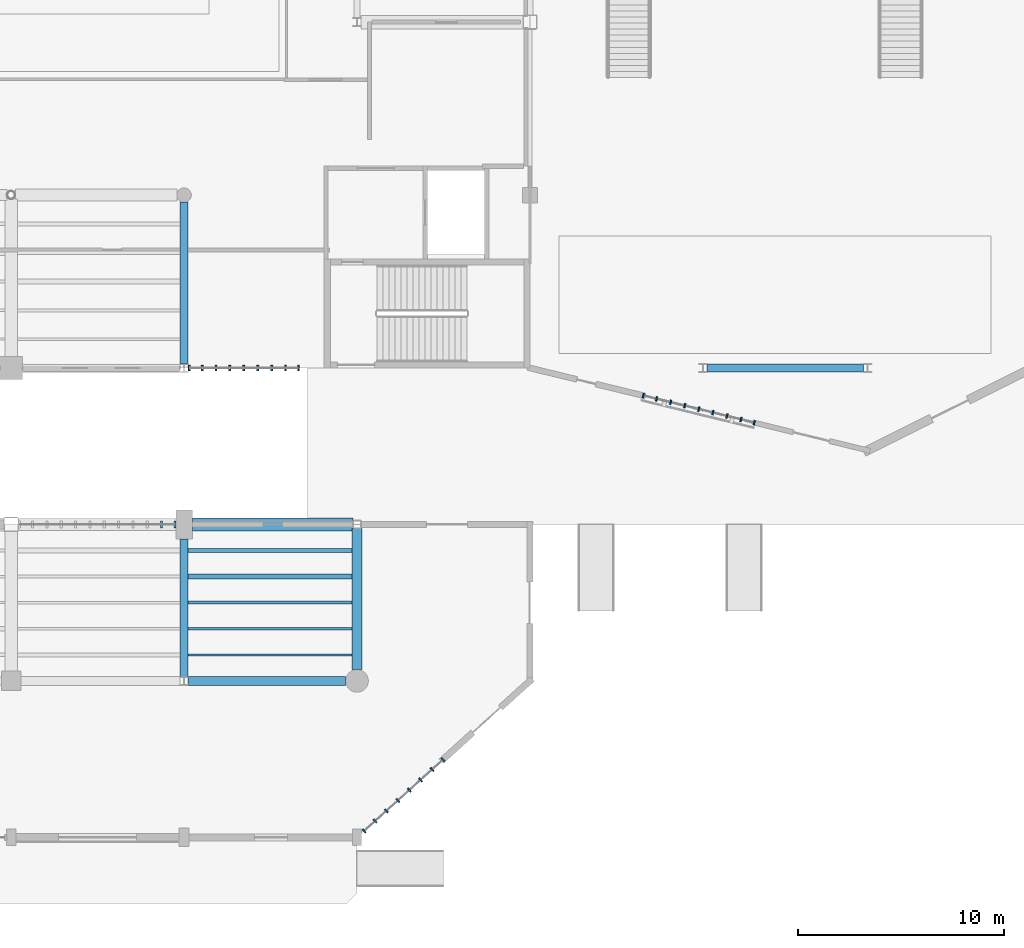
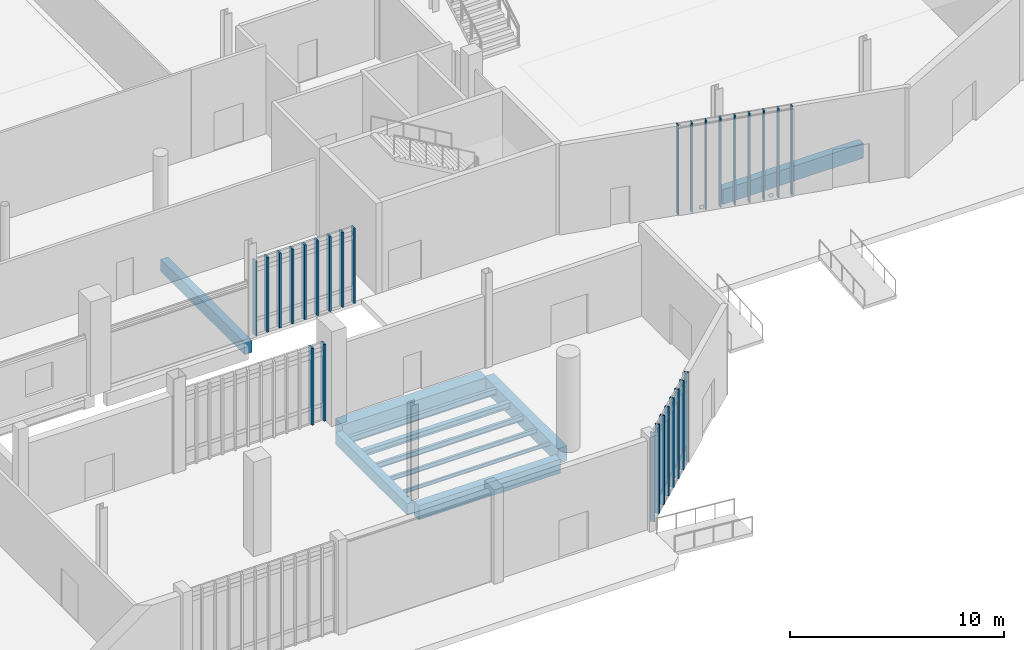
# One storey, part 18 of 111: 28 members, 11 beams, 4 elements without a shape of their own.
"""IFC4 building model written with IfcOpenShell, lengths in metres."""

from ifc_helpers import new_model, si_unit, direction, frame, origin, origin_2d, place, context, subcontext, project, spatial, rectangle, i_section, extrude, material, material_profile, profile_set, type_object, element, aggregate, save


model = new_model("IFC4")

# Units and contexts
model_context = context("Model", 3, precision=1e-05, world=origin(), true_north=direction((0.0, 1.0)))
body_context = subcontext(model_context, "Body", "Model", "MODEL_VIEW")
ifc_project = project(units=[si_unit("LENGTHUNIT", "METRE"), si_unit("AREAUNIT", "SQUARE_METRE"), si_unit("VOLUMEUNIT", "CUBIC_METRE"), si_unit("PLANEANGLEUNIT", "RADIAN"), si_unit("MASSUNIT", "GRAM", prefix="KILO")], contexts=[model_context])

# Site, building, storey
site_placement = place(None, origin())
site = spatial("IfcSite", under=ifc_project, at=site_placement, CompositionType="ELEMENT")
building_placement = place(site_placement, origin())
building = spatial("IfcBuilding", under=site, at=building_placement, Name="Larkvane Passage Sports Hall", CompositionType="ELEMENT")
storey_placement = place(building_placement, origin())
storey = spatial("IfcBuildingStorey", under=building, at=storey_placement, Name="L00", CompositionType="ELEMENT", Elevation=0.0)

# Beams
ifc_material_1 = material(Name="Concrete C40/50", Category="concrete")
ifc_material_profile_1 = material_profile(ifc_material_1, rectangle(XDim=0.39990234375, YDim=0.64990234375, at=origin_2d()), Name="RC-BM-400x650")
ifc_profile_set_1 = profile_set([ifc_material_profile_1], Name="Concrete C40/50")
beam_type_1 = type_object("IfcBeamType", Name="BM-RC-400x650", PredefinedType="BEAM", material=ifc_profile_set_1)
beam_1_placement = place(storey_placement, frame((76.800048828125, 7.800048828125, -0.7451171875), z_axis=(0.0, 1.0, 0.0), x_axis=(-1.0, 0.0, 0.0)))
element("IfcBeam", 1, at=beam_1_placement, inside=storey, type_object=beam_type_1, Name="Girder BM5-Y-L00-11-0107", PredefinedType="BEAM", context=body_context, shape_type="SweptSolid", body=[
    extrude(rectangle(XDim=0.39990234375, YDim=0.64990234375, at=origin_2d()), origin(), (0.0, 0.0, 1.0), 6.699951171875),
])
ifc_material_profile_2 = material_profile(ifc_material_1, rectangle(XDim=0.39990234375, YDim=0.699951171875, at=origin_2d()), Name="RC-BM-400x700")
ifc_profile_set_2 = profile_set([ifc_material_profile_2], Name="Concrete C40/50")
beam_type_2 = type_object("IfcBeamType", Name="BM-RC-400x700", PredefinedType="BEAM", material=ifc_profile_set_2)
beam_2_placement = place(storey_placement, frame((76.800048828125, 23.007080078125, -0.77001953125), z_axis=(0.0, 1.0, 0.0), x_axis=(-1.0, 0.0, 0.0)))
element("IfcBeam", 2, at=beam_2_placement, inside=storey, type_object=beam_type_2, Name="Girder BM5-Y-L00-11-0108", PredefinedType="BEAM", context=body_context, shape_type="SweptSolid", body=[
    extrude(rectangle(XDim=0.39990234375, YDim=0.699951171875, at=origin_2d()), origin(), (0.0, 0.0, 1.0), 7.843017578125),
])
ifc_material_profile_3 = material_profile(ifc_material_1, rectangle(XDim=0.449951171875, YDim=0.800048828125, at=origin_2d()), Name="RC-BM-450x800")
ifc_profile_set_3 = profile_set([ifc_material_profile_3], Name="Concrete C40/50")
beam_type_3 = type_object("IfcBeamType", Name="BM-RC-450x800", PredefinedType="BEAM", material=ifc_profile_set_3)
beam_3_placement = place(storey_placement, frame((77.0, 7.60009765625, -0.820068359375), z_axis=(1.0, 0.0, 0.0), x_axis=(0.0, 1.0, 0.0)))
element("IfcBeam", 3, at=beam_3_placement, inside=storey, type_object=beam_type_3, Name="Girder BM5-X-L00-B-0006", PredefinedType="BEAM", context=body_context, shape_type="SweptSolid", body=[
    extrude(rectangle(XDim=0.449951171875, YDim=0.800048828125, at=origin_2d()), origin(), (0.0, 0.0, 1.0), 7.64990234375),
])
ifc_material_profile_4 = material_profile(ifc_material_1, rectangle(XDim=0.5, YDim=0.85009765625, at=origin_2d()), Name="RC-BM-500x850")
ifc_profile_set_4 = profile_set([ifc_material_profile_4], Name="Concrete C40/50")
beam_type_4 = type_object("IfcBeamType", Name="BM-RC-500x850", PredefinedType="BEAM", material=ifc_profile_set_4)
beam_4_placement = place(storey_placement, frame((85.199951171875, 8.14990234375, -0.844970703125), z_axis=(0.0, 1.0, 0.0), x_axis=(-1.0, 0.0, 0.0)))
element("IfcBeam", 4, at=beam_4_placement, inside=storey, type_object=beam_type_4, Name="Girder BM5-Y-L00-12-0111", PredefinedType="BEAM", context=body_context, shape_type="SweptSolid", body=[
    extrude(rectangle(XDim=0.5, YDim=0.85009765625, at=origin_2d()), origin(), (0.0, 0.0, 1.0), 6.85009765625),
])
ifc_material_2 = material(Name="Concrete C50/60", Category="concrete")
ifc_material_profile_5 = material_profile(ifc_material_2, rectangle(XDim=0.64990234375, YDim=1.14990234375, at=origin_2d()), Name="RC-BM-650x1150")
ifc_profile_set_5 = profile_set([ifc_material_profile_5], Name="Concrete C50/60")
beam_type_5 = type_object("IfcBeamType", Name="BM-RC-650x1150", PredefinedType="BEAM", material=ifc_profile_set_5)
beam_5_placement = place(storey_placement, frame((77.199951171875, 15.199951171875, -0.9951171875), z_axis=(1.0, 0.0, 0.0), x_axis=(0.0, 1.0, 0.0)))
element("IfcBeam", 5, at=beam_5_placement, inside=storey, type_object=beam_type_5, Name="Girder BM5-X-L00-C-0012", PredefinedType="BEAM", context=body_context, shape_type="SweptSolid", body=[
    extrude(rectangle(XDim=0.64990234375, YDim=1.14990234375, at=origin_2d()), origin(), (0.0, 0.0, 1.0), 7.800048828125),
])

# Curtain wall, members
ifc_material_3 = material(Name="Thermally broken aluminium and low-E glazing", Category="aluminium")
curtain_wall_type_1 = type_object("IfcCurtainWallType", Name="CW-CLINIC", PredefinedType="USERDEFINED", material=ifc_material_3)
curtain_wall_1_placement = place(storey_placement, origin())
curtain_wall_1 = element("IfcCurtainWall", 6, at=curtain_wall_1_placement, inside=storey, type_object=curtain_wall_type_1, Name="Curtain wall CW5-L00-027", ObjectType="UNITISED CURTAIN WALL", PredefinedType="USERDEFINED")
ifc_material_4 = material(Name="Anodised aluminium 6063-T6", Category="aluminium")
ifc_material_profile_6 = material_profile(ifc_material_4, rectangle(XDim=0.10009765625, YDim=0.320068359375, at=origin_2d()), Name="ALU-MUL-100x320")
ifc_profile_set_6 = profile_set([ifc_material_profile_6], Name="Anodised aluminium 6063-T6")
member_type_1 = type_object("IfcMemberType", Name="CW-MUL-100x320", PredefinedType="MULLION", material=ifc_profile_set_6)
member_1_placement = place(storey_placement, frame((75.707763671875, 15.199951171875, 0.0), z_axis=(0.0, 0.0, 1.0), x_axis=(1.0, 0.0, 0.0)))
member_1 = element("IfcMember", 7, at=member_1_placement, type_object=member_type_1, Name="CW-05 mullion 11", PredefinedType="MULLION", context=body_context, shape_type="SweptSolid", body=[
    extrude(rectangle(XDim=0.10009765625, YDim=0.320068359375, at=origin_2d()), origin(), (0.0, 0.0, 1.0), 4.385986328125),
])
member_2_placement = place(storey_placement, frame((76.35400390625, 15.199951171875, 0.0), z_axis=(0.0, 0.0, 1.0), x_axis=(1.0, 0.0, 0.0)))
member_2 = element("IfcMember", 8, at=member_2_placement, type_object=member_type_1, Name="CW-05 mullion 12", PredefinedType="MULLION", context=body_context, shape_type="SweptSolid", body=[
    extrude(rectangle(XDim=0.10009765625, YDim=0.320068359375, at=origin_2d()), origin(), (0.0, 0.0, 1.0), 4.385986328125),
])
aggregate(curtain_wall_1, [member_1, member_2])

curtain_wall_type_2 = type_object("IfcCurtainWallType", Name="CW-UNIT-VEIL", PredefinedType="USERDEFINED", material=ifc_material_3)
curtain_wall_2_placement = place(storey_placement, origin())
curtain_wall_2 = element("IfcCurtainWall", 9, at=curtain_wall_2_placement, inside=storey, type_object=curtain_wall_type_2, Name="Curtain wall CW5-L00-001", ObjectType="UNITISED CURTAIN WALL", PredefinedType="USERDEFINED")
ifc_material_profile_7 = material_profile(ifc_material_4, rectangle(XDim=0.074951171875, YDim=0.22509765625, at=origin_2d()), Name="ALU-MUL-75x225")
ifc_profile_set_7 = profile_set([ifc_material_profile_7], Name="Anodised aluminium 6063-T6")
member_type_2 = type_object("IfcMemberType", Name="CW-MUL-75x225", PredefinedType="MULLION", material=ifc_profile_set_7)
member_3_placement = place(storey_placement, frame((89.372314453125, 3.77490234375, 0.0), z_axis=(0.0, 0.0, 1.0), x_axis=(-0.741531704398, -0.670917827586, 0.0)))
member_3 = element("IfcMember", 10, at=member_3_placement, type_object=member_type_2, Name="CW-02 mullion 1", PredefinedType="MULLION", context=body_context, shape_type="SweptSolid", body=[
    extrude(rectangle(XDim=0.074951171875, YDim=0.22509765625, at=origin_2d()), origin(), (0.0, 0.0, 1.0), 5.10009765625),
])
member_4_placement = place(storey_placement, frame((88.845703125, 3.298583984375, 0.0), z_axis=(0.0, 0.0, 1.0), x_axis=(-0.741531704398, -0.670917827586, 0.0)))
member_4 = element("IfcMember", 11, at=member_4_placement, type_object=member_type_2, Name="CW-02 mullion 2", PredefinedType="MULLION", context=body_context, shape_type="SweptSolid", body=[
    extrude(rectangle(XDim=0.074951171875, YDim=0.22509765625, at=origin_2d()), origin(), (0.0, 0.0, 1.0), 5.10009765625),
])
member_5_placement = place(storey_placement, frame((88.291259765625, 2.796875, 0.0), z_axis=(0.0, 0.0, 1.0), x_axis=(-0.741531704398, -0.670917827586, 0.0)))
member_5 = element("IfcMember", 12, at=member_5_placement, type_object=member_type_2, Name="CW-02 mullion 3", PredefinedType="MULLION", context=body_context, shape_type="SweptSolid", body=[
    extrude(rectangle(XDim=0.074951171875, YDim=0.22509765625, at=origin_2d()), origin(), (0.0, 0.0, 1.0), 5.10009765625),
])
member_6_placement = place(storey_placement, frame((87.737060546875, 2.29541015625, 0.0), z_axis=(0.0, 0.0, 1.0), x_axis=(-0.741531704398, -0.670917827586, 0.0)))
member_6 = element("IfcMember", 13, at=member_6_placement, type_object=member_type_2, Name="CW-02 mullion 4", PredefinedType="MULLION", context=body_context, shape_type="SweptSolid", body=[
    extrude(rectangle(XDim=0.074951171875, YDim=0.22509765625, at=origin_2d()), origin(), (0.0, 0.0, 1.0), 5.10009765625),
])
member_7_placement = place(storey_placement, frame((87.182861328125, 1.7939453125, 0.0), z_axis=(0.0, 0.0, 1.0), x_axis=(-0.741531704398, -0.670917827586, 0.0)))
member_7 = element("IfcMember", 14, at=member_7_placement, type_object=member_type_2, Name="CW-02 mullion 5", PredefinedType="MULLION", context=body_context, shape_type="SweptSolid", body=[
    extrude(rectangle(XDim=0.074951171875, YDim=0.22509765625, at=origin_2d()), origin(), (0.0, 0.0, 1.0), 5.10009765625),
])
member_8_placement = place(storey_placement, frame((86.62841796875, 1.292236328125, 0.0), z_axis=(0.0, 0.0, 1.0), x_axis=(-0.741531704398, -0.670917827586, 0.0)))
member_8 = element("IfcMember", 15, at=member_8_placement, type_object=member_type_2, Name="CW-02 mullion 6", PredefinedType="MULLION", context=body_context, shape_type="SweptSolid", body=[
    extrude(rectangle(XDim=0.074951171875, YDim=0.22509765625, at=origin_2d()), origin(), (0.0, 0.0, 1.0), 5.10009765625),
])
member_9_placement = place(storey_placement, frame((86.07421875, 0.790771484375, 0.0), z_axis=(0.0, 0.0, 1.0), x_axis=(-0.741531704398, -0.670917827586, 0.0)))
member_9 = element("IfcMember", 16, at=member_9_placement, type_object=member_type_2, Name="CW-02 mullion 7", PredefinedType="MULLION", context=body_context, shape_type="SweptSolid", body=[
    extrude(rectangle(XDim=0.074951171875, YDim=0.22509765625, at=origin_2d()), origin(), (0.0, 0.0, 1.0), 5.10009765625),
])
member_10_placement = place(storey_placement, frame((85.547607421875, 0.314453125, 0.0), z_axis=(0.0, 0.0, 1.0), x_axis=(-0.741531704398, -0.670917827586, 0.0)))
member_10 = element("IfcMember", 17, at=member_10_placement, type_object=member_type_2, Name="CW-02 mullion 8", PredefinedType="MULLION", context=body_context, shape_type="SweptSolid", body=[
    extrude(rectangle(XDim=0.074951171875, YDim=0.22509765625, at=origin_2d()), origin(), (0.0, 0.0, 1.0), 5.10009765625),
])
aggregate(curtain_wall_2, [member_3, member_4, member_5, member_6, member_7, member_8, member_9, member_10])

curtain_wall_3_placement = place(storey_placement, origin())
curtain_wall_3 = element("IfcCurtainWall", 18, at=curtain_wall_3_placement, inside=storey, type_object=curtain_wall_type_2, Name="Curtain wall CW5-L00-025", ObjectType="UNITISED CURTAIN WALL", PredefinedType="USERDEFINED")
member_11_placement = place(storey_placement, frame((104.496826171875, 20.14208984375, 0.0), z_axis=(0.0, 0.0, 1.0), x_axis=(-0.971516945962, 0.236970090326, 0.0)))
member_11 = element("IfcMember", 19, at=member_11_placement, type_object=member_type_2, Name="CW-02 mullion 1", PredefinedType="MULLION", context=body_context, shape_type="SweptSolid", body=[
    extrude(rectangle(XDim=0.074951171875, YDim=0.22509765625, at=origin_2d()), origin(), (0.0, 0.0, 1.0), 5.10009765625),
])
member_12_placement = place(storey_placement, frame((103.849853515625, 20.300048828125, 0.0), z_axis=(0.0, 0.0, 1.0), x_axis=(-0.971516945962, 0.236970090326, 0.0)))
member_12 = element("IfcMember", 20, at=member_12_placement, type_object=member_type_2, Name="CW-02 mullion 2", PredefinedType="MULLION", context=body_context, shape_type="SweptSolid", body=[
    extrude(rectangle(XDim=0.074951171875, YDim=0.22509765625, at=origin_2d()), origin(), (0.0, 0.0, 1.0), 5.10009765625),
])
member_13_placement = place(storey_placement, frame((103.166748046875, 20.466552734375, 0.0), z_axis=(0.0, 0.0, 1.0), x_axis=(-0.971516945962, 0.236970090326, 0.0)))
member_13 = element("IfcMember", 21, at=member_13_placement, type_object=member_type_2, Name="CW-02 mullion 3", PredefinedType="MULLION", context=body_context, shape_type="SweptSolid", body=[
    extrude(rectangle(XDim=0.074951171875, YDim=0.22509765625, at=origin_2d()), origin(), (0.0, 0.0, 1.0), 5.10009765625),
])
member_14_placement = place(storey_placement, frame((102.4833984375, 20.63330078125, 0.0), z_axis=(0.0, 0.0, 1.0), x_axis=(-0.971516945962, 0.236970090326, 0.0)))
member_14 = element("IfcMember", 22, at=member_14_placement, type_object=member_type_2, Name="CW-02 mullion 4", PredefinedType="MULLION", context=body_context, shape_type="SweptSolid", body=[
    extrude(rectangle(XDim=0.074951171875, YDim=0.22509765625, at=origin_2d()), origin(), (0.0, 0.0, 1.0), 5.10009765625),
])
member_15_placement = place(storey_placement, frame((101.800048828125, 20.800048828125, 0.0), z_axis=(0.0, 0.0, 1.0), x_axis=(-0.971516945962, 0.236970090326, 0.0)))
member_15 = element("IfcMember", 23, at=member_15_placement, type_object=member_type_2, Name="CW-02 mullion 5", PredefinedType="MULLION", context=body_context, shape_type="SweptSolid", body=[
    extrude(rectangle(XDim=0.074951171875, YDim=0.22509765625, at=origin_2d()), origin(), (0.0, 0.0, 1.0), 5.10009765625),
])
member_16_placement = place(storey_placement, frame((101.11669921875, 20.966796875, 0.0), z_axis=(0.0, 0.0, 1.0), x_axis=(-0.971516945962, 0.236970090326, 0.0)))
member_16 = element("IfcMember", 24, at=member_16_placement, type_object=member_type_2, Name="CW-02 mullion 6", PredefinedType="MULLION", context=body_context, shape_type="SweptSolid", body=[
    extrude(rectangle(XDim=0.074951171875, YDim=0.22509765625, at=origin_2d()), origin(), (0.0, 0.0, 1.0), 5.10009765625),
])
member_17_placement = place(storey_placement, frame((100.433349609375, 21.13330078125, 0.0), z_axis=(0.0, 0.0, 1.0), x_axis=(-0.971516945962, 0.236970090326, 0.0)))
member_17 = element("IfcMember", 25, at=member_17_placement, type_object=member_type_2, Name="CW-02 mullion 7", PredefinedType="MULLION", context=body_context, shape_type="SweptSolid", body=[
    extrude(rectangle(XDim=0.074951171875, YDim=0.22509765625, at=origin_2d()), origin(), (0.0, 0.0, 1.0), 5.10009765625),
])
member_18_placement = place(storey_placement, frame((99.75, 21.300048828125, 0.0), z_axis=(0.0, 0.0, 1.0), x_axis=(-0.971516945962, 0.236970090326, 0.0)))
member_18 = element("IfcMember", 26, at=member_18_placement, type_object=member_type_2, Name="CW-02 mullion 8", PredefinedType="MULLION", context=body_context, shape_type="SweptSolid", body=[
    extrude(rectangle(XDim=0.074951171875, YDim=0.22509765625, at=origin_2d()), origin(), (0.0, 0.0, 1.0), 5.10009765625),
])
member_19_placement = place(storey_placement, frame((99.10302734375, 21.457763671875, 0.0), z_axis=(0.0, 0.0, 1.0), x_axis=(-0.971516945962, 0.236970090326, 0.0)))
member_19 = element("IfcMember", 27, at=member_19_placement, type_object=member_type_2, Name="CW-02 mullion 9", PredefinedType="MULLION", context=body_context, shape_type="SweptSolid", body=[
    extrude(rectangle(XDim=0.074951171875, YDim=0.22509765625, at=origin_2d()), origin(), (0.0, 0.0, 1.0), 5.10009765625),
])
aggregate(curtain_wall_3, [member_11, member_12, member_13, member_14, member_15, member_16, member_17, member_18, member_19])

curtain_wall_type_3 = type_object("IfcCurtainWallType", Name="CW-STICK-FOYER", PredefinedType="USERDEFINED", material=ifc_material_3)
curtain_wall_4_placement = place(storey_placement, origin())
curtain_wall_4 = element("IfcCurtainWall", 28, at=curtain_wall_4_placement, inside=storey, type_object=curtain_wall_type_3, Name="Curtain wall CW5-L00-026", ObjectType="STICK CURTAIN WALL", PredefinedType="USERDEFINED")
ifc_material_profile_8 = material_profile(ifc_material_4, rectangle(XDim=0.090087890625, YDim=0.280029296875, at=origin_2d()), Name="ALU-MUL-90x280")
ifc_profile_set_8 = profile_set([ifc_material_profile_8], Name="Anodised aluminium 6063-T6")
member_type_3 = type_object("IfcMemberType", Name="CW-MUL-90x280", PredefinedType="MULLION", material=ifc_profile_set_8)
member_20_placement = place(storey_placement, frame((82.35498046875, 22.800048828125, 0.0), z_axis=(0.0, 0.0, 1.0), x_axis=(-1.0, 0.0, 0.0)))
member_20 = element("IfcMember", 29, at=member_20_placement, type_object=member_type_3, Name="CW-03 mullion 1", PredefinedType="MULLION", context=body_context, shape_type="SweptSolid", body=[
    extrude(rectangle(XDim=0.090087890625, YDim=0.280029296875, at=origin_2d()), origin(), (0.0, 0.0, 1.0), 4.26806640625),
])
member_21_placement = place(storey_placement, frame((81.724853515625, 22.800048828125, 0.0), z_axis=(0.0, 0.0, 1.0), x_axis=(-1.0, 0.0, 0.0)))
member_21 = element("IfcMember", 30, at=member_21_placement, type_object=member_type_3, Name="CW-03 mullion 2", PredefinedType="MULLION", context=body_context, shape_type="SweptSolid", body=[
    extrude(rectangle(XDim=0.090087890625, YDim=0.280029296875, at=origin_2d()), origin(), (0.0, 0.0, 1.0), 4.26806640625),
])
member_22_placement = place(storey_placement, frame((81.049560546875, 22.800048828125, 0.0), z_axis=(0.0, 0.0, 1.0), x_axis=(-1.0, 0.0, 0.0)))
member_22 = element("IfcMember", 31, at=member_22_placement, type_object=member_type_3, Name="CW-03 mullion 3", PredefinedType="MULLION", context=body_context, shape_type="SweptSolid", body=[
    extrude(rectangle(XDim=0.090087890625, YDim=0.280029296875, at=origin_2d()), origin(), (0.0, 0.0, 1.0), 4.26806640625),
])
member_23_placement = place(storey_placement, frame((80.37451171875, 22.800048828125, 0.0), z_axis=(0.0, 0.0, 1.0), x_axis=(-1.0, 0.0, 0.0)))
member_23 = element("IfcMember", 32, at=member_23_placement, type_object=member_type_3, Name="CW-03 mullion 4", PredefinedType="MULLION", context=body_context, shape_type="SweptSolid", body=[
    extrude(rectangle(XDim=0.090087890625, YDim=0.280029296875, at=origin_2d()), origin(), (0.0, 0.0, 1.0), 4.26806640625),
])
member_24_placement = place(storey_placement, frame((79.69921875, 22.800048828125, 0.0), z_axis=(0.0, 0.0, 1.0), x_axis=(-1.0, 0.0, 0.0)))
member_24 = element("IfcMember", 33, at=member_24_placement, type_object=member_type_3, Name="CW-03 mullion 5", PredefinedType="MULLION", context=body_context, shape_type="SweptSolid", body=[
    extrude(rectangle(XDim=0.090087890625, YDim=0.280029296875, at=origin_2d()), origin(), (0.0, 0.0, 1.0), 4.26806640625),
])
member_25_placement = place(storey_placement, frame((79.024169921875, 22.800048828125, 0.0), z_axis=(0.0, 0.0, 1.0), x_axis=(-1.0, 0.0, 0.0)))
member_25 = element("IfcMember", 34, at=member_25_placement, type_object=member_type_3, Name="CW-03 mullion 6", PredefinedType="MULLION", context=body_context, shape_type="SweptSolid", body=[
    extrude(rectangle(XDim=0.090087890625, YDim=0.280029296875, at=origin_2d()), origin(), (0.0, 0.0, 1.0), 4.26806640625),
])
member_26_placement = place(storey_placement, frame((78.348876953125, 22.800048828125, 0.0), z_axis=(0.0, 0.0, 1.0), x_axis=(-1.0, 0.0, 0.0)))
member_26 = element("IfcMember", 35, at=member_26_placement, type_object=member_type_3, Name="CW-03 mullion 7", PredefinedType="MULLION", context=body_context, shape_type="SweptSolid", body=[
    extrude(rectangle(XDim=0.090087890625, YDim=0.280029296875, at=origin_2d()), origin(), (0.0, 0.0, 1.0), 4.26806640625),
])
member_27_placement = place(storey_placement, frame((77.673583984375, 22.800048828125, 0.0), z_axis=(0.0, 0.0, 1.0), x_axis=(-1.0, 0.0, 0.0)))
member_27 = element("IfcMember", 36, at=member_27_placement, type_object=member_type_3, Name="CW-03 mullion 8", PredefinedType="MULLION", context=body_context, shape_type="SweptSolid", body=[
    extrude(rectangle(XDim=0.090087890625, YDim=0.280029296875, at=origin_2d()), origin(), (0.0, 0.0, 1.0), 4.26806640625),
])
member_28_placement = place(storey_placement, frame((77.04345703125, 22.800048828125, 0.0), z_axis=(0.0, 0.0, 1.0), x_axis=(-1.0, 0.0, 0.0)))
member_28 = element("IfcMember", 37, at=member_28_placement, type_object=member_type_3, Name="CW-03 mullion 9", PredefinedType="MULLION", context=body_context, shape_type="SweptSolid", body=[
    extrude(rectangle(XDim=0.090087890625, YDim=0.280029296875, at=origin_2d()), origin(), (0.0, 0.0, 1.0), 4.26806640625),
])
aggregate(curtain_wall_4, [member_20, member_21, member_22, member_23, member_24, member_25, member_26, member_27, member_28])

# Beams
ifc_material_5 = material(Name="Steel S355JR", Category="steel")
ifc_material_profile_9 = material_profile(ifc_material_5, i_section(OverallWidth=0.10009765625, OverallDepth=0.199951171875, WebThickness=0.005615234375, FlangeThickness=0.008056640625, FilletRadius=0.008056640625, at=origin_2d()), Name="H-200x100x5.5x8")
ifc_profile_set_9 = profile_set([ifc_material_profile_9], Name="Steel S355JR")
beam_type_6 = type_object("IfcBeamType", Name="JST-STL-H200", PredefinedType="JOIST", material=ifc_profile_set_9)
beam_6_placement = place(storey_placement, frame((77.0, 8.86669921875, -0.52001953125), z_axis=(1.0, 0.0, 0.0), x_axis=(0.0, 1.0, 0.0)))
element("IfcBeam", 38, at=beam_6_placement, inside=storey, type_object=beam_type_6, Name="Composite joist L00 11/B-1", PredefinedType="JOIST", context=body_context, shape_type="SweptSolid", body=[
    extrude(i_section(OverallWidth=0.10009765625, OverallDepth=0.199951171875, WebThickness=0.005615234375, FlangeThickness=0.008056640625, FilletRadius=0.008056640625, at=origin_2d()), origin(), (0.0, 0.0, 1.0), 7.949951171875),
])
ifc_material_profile_10 = material_profile(ifc_material_5, i_section(OverallWidth=0.125, OverallDepth=0.25, WebThickness=0.006103515625, FlangeThickness=0.009033203125, FilletRadius=0.008056640625, at=origin_2d()), Name="H-250x125x6x9")
ifc_profile_set_10 = profile_set([ifc_material_profile_10], Name="Steel S355JR")
beam_type_7 = type_object("IfcBeamType", Name="JST-STL-H250", PredefinedType="JOIST", material=ifc_profile_set_10)
beam_7_placement = place(storey_placement, frame((77.0, 10.13330078125, -0.544921875), z_axis=(1.0, 0.0, 0.0), x_axis=(0.0, 1.0, 0.0)))
element("IfcBeam", 39, at=beam_7_placement, inside=storey, type_object=beam_type_7, Name="Composite joist L00 11/B-2", PredefinedType="JOIST", context=body_context, shape_type="SweptSolid", body=[
    extrude(i_section(OverallWidth=0.125, OverallDepth=0.25, WebThickness=0.006103515625, FlangeThickness=0.009033203125, FilletRadius=0.008056640625, at=origin_2d()), origin(), (0.0, 0.0, 1.0), 7.949951171875),
])
ifc_material_profile_11 = material_profile(ifc_material_5, i_section(OverallWidth=0.14990234375, OverallDepth=0.300048828125, WebThickness=0.006591796875, FlangeThickness=0.009033203125, FilletRadius=0.012939453125, at=origin_2d()), Name="H-300x150x6.5x9")
ifc_profile_set_11 = profile_set([ifc_material_profile_11], Name="Steel S355JR")
beam_type_8 = type_object("IfcBeamType", Name="JST-STL-H300", PredefinedType="JOIST", material=ifc_profile_set_11)
beam_8_placement = place(storey_placement, frame((77.0, 11.39990234375, -0.570068359375), z_axis=(1.0, 0.0, 0.0), x_axis=(0.0, 1.0, 0.0)))
element("IfcBeam", 40, at=beam_8_placement, inside=storey, type_object=beam_type_8, Name="Composite joist L00 11/B-3", PredefinedType="JOIST", context=body_context, shape_type="SweptSolid", body=[
    extrude(i_section(OverallWidth=0.14990234375, OverallDepth=0.300048828125, WebThickness=0.006591796875, FlangeThickness=0.009033203125, FilletRadius=0.012939453125, at=origin_2d()), origin(), (0.0, 0.0, 1.0), 7.949951171875),
])
ifc_material_profile_12 = material_profile(ifc_material_5, i_section(OverallWidth=0.25, OverallDepth=0.340087890625, WebThickness=0.009033203125, FlangeThickness=0.013916015625, FilletRadius=0.012939453125, at=origin_2d()), Name="H-340x250x9x14")
ifc_profile_set_12 = profile_set([ifc_material_profile_12], Name="Steel S355JR")
beam_type_9 = type_object("IfcBeamType", Name="JST-STL-H340", PredefinedType="JOIST", material=ifc_profile_set_12)
beam_9_placement = place(storey_placement, frame((77.0, 12.666748046875, -0.590087890625), z_axis=(1.0, 0.0, 0.0), x_axis=(0.0, 1.0, 0.0)))
element("IfcBeam", 41, at=beam_9_placement, inside=storey, type_object=beam_type_9, Name="Composite joist L00 11/B-4", PredefinedType="JOIST", context=body_context, shape_type="SweptSolid", body=[
    extrude(i_section(OverallWidth=0.25, OverallDepth=0.340087890625, WebThickness=0.009033203125, FlangeThickness=0.013916015625, FilletRadius=0.012939453125, at=origin_2d()), origin(), (0.0, 0.0, 1.0), 7.949951171875),
])
ifc_material_profile_13 = material_profile(ifc_material_5, i_section(OverallWidth=0.175048828125, OverallDepth=0.35009765625, WebThickness=0.007080078125, FlangeThickness=0.010986328125, FilletRadius=0.012939453125, at=origin_2d()), Name="H-350x175x7x11")
ifc_profile_set_13 = profile_set([ifc_material_profile_13], Name="Steel S355JR")
beam_type_10 = type_object("IfcBeamType", Name="JST-STL-H350", PredefinedType="JOIST", material=ifc_profile_set_13)
beam_10_placement = place(storey_placement, frame((77.0, 13.933349609375, -0.594970703125), z_axis=(1.0, 0.0, 0.0), x_axis=(0.0, 1.0, 0.0)))
element("IfcBeam", 42, at=beam_10_placement, inside=storey, type_object=beam_type_10, Name="Composite joist L00 11/B-5", PredefinedType="JOIST", context=body_context, shape_type="SweptSolid", body=[
    extrude(i_section(OverallWidth=0.175048828125, OverallDepth=0.35009765625, WebThickness=0.007080078125, FlangeThickness=0.010986328125, FilletRadius=0.012939453125, at=origin_2d()), origin(), (0.0, 0.0, 1.0), 7.949951171875),
])
ifc_material_profile_14 = material_profile(ifc_material_1, rectangle(XDim=0.39990234375, YDim=0.85009765625, at=origin_2d()), Name="RC-SP-400x850")
ifc_profile_set_14 = profile_set([ifc_material_profile_14], Name="Concrete C40/50")
beam_type_11 = type_object("IfcBeamType", Name="SP-RC-400x850", PredefinedType="SPANDREL", material=ifc_profile_set_14)
beam_11_placement = place(storey_placement, frame((102.199951171875, 22.800048828125, -0.844970703125), z_axis=(1.0, 0.0, 0.0), x_axis=(0.0, 1.0, 0.0)))
element("IfcBeam", 43, at=beam_11_placement, inside=storey, type_object=beam_type_11, Name="Girder BM5-X-L00-D-0018", PredefinedType="SPANDREL", context=body_context, shape_type="SweptSolid", body=[
    extrude(rectangle(XDim=0.39990234375, YDim=0.85009765625, at=origin_2d()), origin(), (0.0, 0.0, 1.0), 7.596435546875),
])

save(model, "model.ifc")
